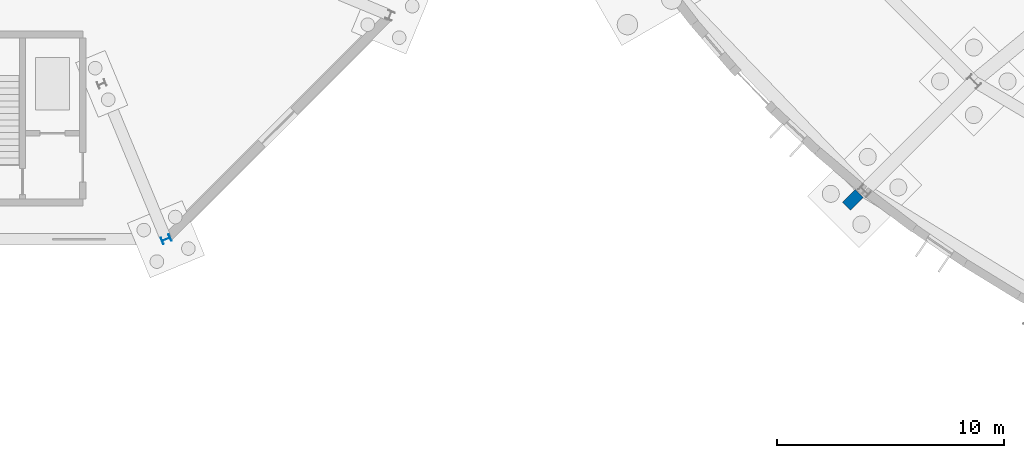
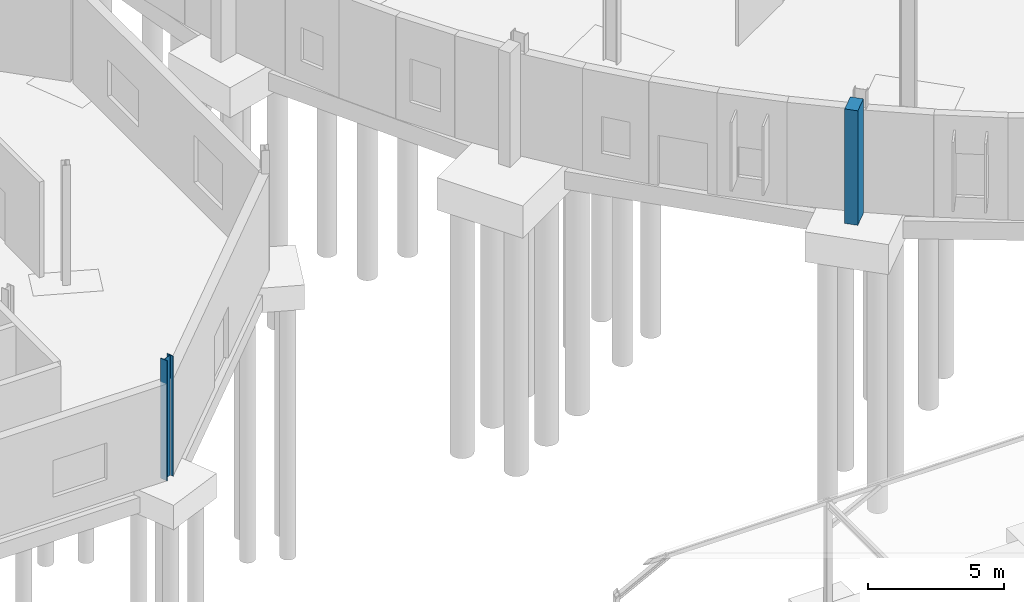
# One storey, part 17 of 118: 2 columns.
"""IFC4 building model written with IfcOpenShell, lengths in metres."""

from ifc_helpers import new_model, si_unit, direction, frame, origin, origin_2d, place, context, subcontext, project, spatial, rectangle, i_section, extrude, material, material_profile, profile_set, type_object, element, save


model = new_model("IFC4")

# Units and contexts
model_context = context("Model", 3, precision=1e-05, world=origin(), true_north=direction((0.0, 1.0)))
body_context = subcontext(model_context, "Body", "Model", "MODEL_VIEW")
ifc_project = project(units=[si_unit("LENGTHUNIT", "METRE"), si_unit("AREAUNIT", "SQUARE_METRE"), si_unit("VOLUMEUNIT", "CUBIC_METRE"), si_unit("PLANEANGLEUNIT", "RADIAN"), si_unit("MASSUNIT", "GRAM", prefix="KILO")], contexts=[model_context])

# Site, building, storey
site_placement = place(None, origin())
site = spatial("IfcSite", under=ifc_project, at=site_placement, CompositionType="ELEMENT")
building_placement = place(site_placement, origin())
building = spatial("IfcBuilding", under=site, at=building_placement, Name="Kildeholm Park Wholesale Market", CompositionType="ELEMENT")
storey_placement = place(building_placement, origin())
storey = spatial("IfcBuildingStorey", under=building, at=storey_placement, Name="L00", CompositionType="ELEMENT", Elevation=0.0)

# Columns
ifc_material_1 = material(Name="Steel S355", Category="steel")
ifc_material_profile_1 = material_profile(ifc_material_1, i_section(OverallWidth=0.300048828125, OverallDepth=0.39990234375, WebThickness=0.013427734375, FlangeThickness=0.02392578125, FilletRadius=0.027099609375, at=origin_2d()), Name="HEB 400")
ifc_profile_set_1 = profile_set([ifc_material_profile_1], Name="Steel S355")
column_type_1 = type_object("IfcColumnType", Name="Column C-S05 HEB 400", PredefinedType="COLUMN", material=ifc_profile_set_1)
column_1_placement = place(storey_placement, frame((27.965087890625, 55.18505859375, 0.0), z_axis=(0.0, 0.0, 1.0), x_axis=(0.382683432365, -0.923879532511, 0.0)))
element("IfcColumn", 1, at=column_1_placement, inside=storey, type_object=column_type_1, Name="Column V3-OT-06 L00 COL-0323", PredefinedType="COLUMN", context=body_context, shape_type="SweptSolid", body=[
    extrude(i_section(OverallWidth=0.300048828125, OverallDepth=0.39990234375, WebThickness=0.013427734375, FlangeThickness=0.02392578125, FilletRadius=0.027099609375, at=origin_2d()), origin(), (0.0, 0.0, 1.0), 5.39990234375),
])
ifc_material_2 = material(Name="Precast concrete C40/50", Category="concrete")
ifc_material_profile_2 = material_profile(ifc_material_2, rectangle(XDim=0.800048828125, YDim=0.5, at=origin_2d()), Name="PIL 800x500")
ifc_profile_set_2 = profile_set([ifc_material_profile_2], Name="Precast concrete C40/50")
column_type_2 = type_object("IfcColumnType", Name="Column PL-M01 PIL 800x500", PredefinedType="PILASTER", material=ifc_profile_set_2)
column_2_placement = place(storey_placement, frame((58.18701171875, 56.9208984375, 0.0), z_axis=(0.0, 0.0, 1.0), x_axis=(-0.707106781187, -0.707106781187, 0.0)))
element("IfcColumn", 2, at=column_2_placement, inside=storey, type_object=column_type_2, Name="Market ring pilaster 16 COL-0144", PredefinedType="PILASTER", context=body_context, shape_type="SweptSolid", body=[
    extrude(rectangle(XDim=0.800048828125, YDim=0.5, at=origin_2d()), origin(), (0.0, 0.0, 1.0), 5.14990234375),
])

save(model, "model.ifc")
